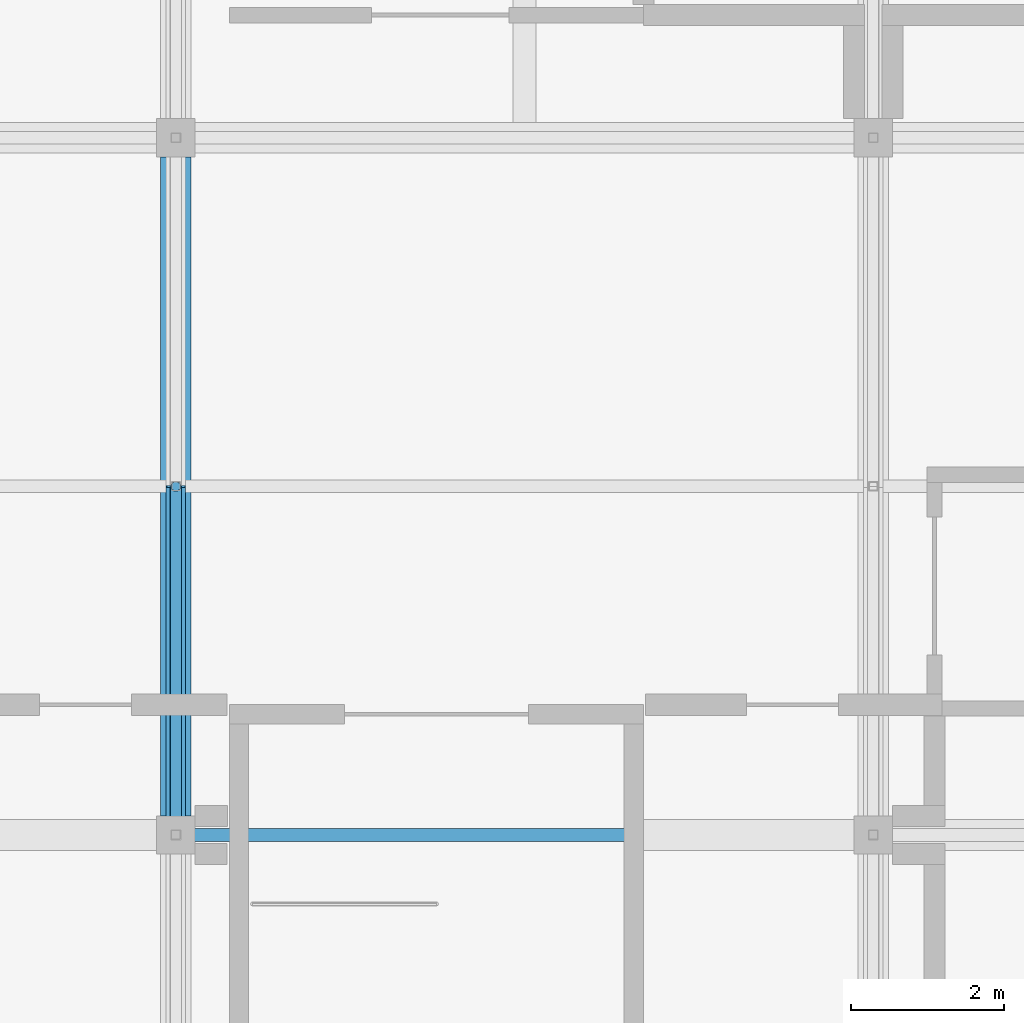
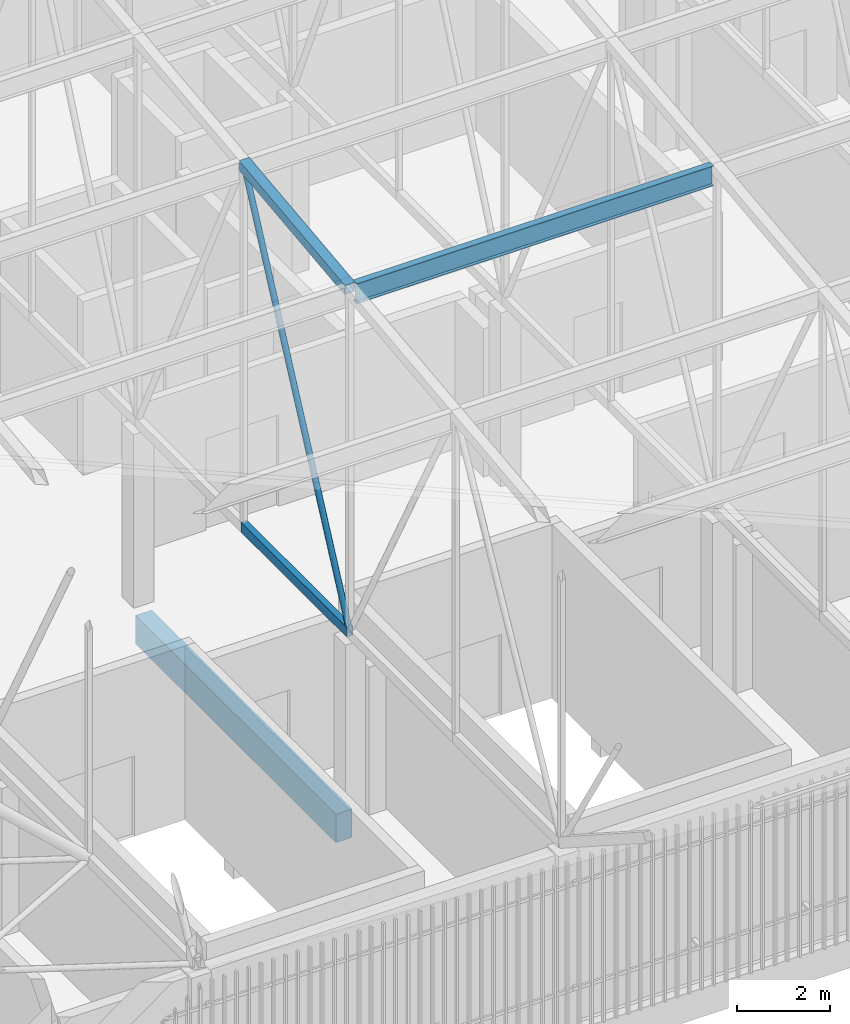
# One storey, part 20 of 500: 4 members, 1 beam.
"""IFC4 building model written with IfcOpenShell, lengths in metres."""

import ifcopenshell
import ifcopenshell.guid

model = None  # the IFC model being written
_history = None  # IfcOwnerHistory: only IFC2X3 demands one
_inside = {}  # id of a spatial element -> (the spatial element, [elements in it])
_under = {}  # id of a project, library or spatial element -> (it, [spatial elements below it])
_declared = {}  # id of a project -> (the project, [libraries it declares])
_typed = {}  # id of a type object -> (the type object, [elements of that type])
_made_of = {}  # id of a material, layer set ... -> (it, [elements and type objects made of it])


def new_model(schema):
    """Start an empty IFC model of exactly this schema.

    Asked for "IFC4X3", IfcOpenShell would pick the latest addendum, in which some entities
    have other attributes; the version numbers below select the first issue.
    IFC2X3 requires an IfcOwnerHistory on every rooted entity: one is made here for all.
    """
    global model, _history
    if schema == "IFC4X3":
        model = ifcopenshell.file(schema_version=(4, 3, 0, 0))
    else:
        model = ifcopenshell.file(schema=schema)
    _inside.clear()
    _under.clear()
    _declared.clear()
    _typed.clear()
    _made_of.clear()
    _history = None
    if model.schema == "IFC2X3":
        org = make("IfcOrganization", Name="unknown")
        user = make(
            "IfcPersonAndOrganization",
            ThePerson=make("IfcPerson", FamilyName="unknown"),
            TheOrganization=org,
        )
        app = make(
            "IfcApplication",
            ApplicationDeveloper=org,
            Version="unknown",
            ApplicationFullName="unknown",
            ApplicationIdentifier="unknown",
        )
        _history = make(
            "IfcOwnerHistory",
            OwningUser=user,
            OwningApplication=app,
            ChangeAction="ADDED",
            CreationDate=0,
        )
    return model


def make(cls, **values):
    """One entity of the class cls with the attributes given. An attribute that is None is left unset."""
    return model.create_entity(
        cls, **{name: value for name, value in values.items() if value is not None}
    )


def rooted(cls, **values):
    """An entity with a GlobalId (a new one), such as an element, a storey or a relation."""
    return make(cls, GlobalId=ifcopenshell.guid.new(), OwnerHistory=_history, **values)


def si_unit(unit_type, name, prefix=None):
    """IfcSIUnit, for example si_unit("LENGTHUNIT", "METRE", prefix="MILLI")."""
    return make("IfcSIUnit", UnitType=unit_type, Prefix=prefix, Name=name)


def assignment(units):
    """IfcUnitAssignment: the units of a project."""
    return None if units is None else make("IfcUnitAssignment", Units=units)


def point(xyz):
    """IfcCartesianPoint."""
    return None if xyz is None else make("IfcCartesianPoint", Coordinates=xyz)


def direction(xyz):
    """IfcDirection."""
    return None if xyz is None else make("IfcDirection", DirectionRatios=xyz)


def frame(location, z_axis=None, x_axis=None):
    """IfcAxis2Placement3D, a coordinate frame: its origin and axes. An axis left out is left unset."""
    return make(
        "IfcAxis2Placement3D",
        Location=point(location),
        Axis=direction(z_axis),
        RefDirection=direction(x_axis),
    )


def frame_2d(location, x_axis=None):
    """IfcAxis2Placement2D, a coordinate frame in the plane: its origin and x axis."""
    return make(
        "IfcAxis2Placement2D", Location=point(location), RefDirection=direction(x_axis)
    )


def origin():
    """The frame at (0, 0, 0) with its axes left unset."""
    return frame((0.0, 0.0, 0.0))


def origin_2d():
    """The frame at (0, 0) in the plane with its x axis left unset."""
    return frame_2d((0.0, 0.0))


def place(relative_to, where):
    """IfcLocalPlacement: puts the frame where relative to a parent placement (None: the world)."""
    return make(
        "IfcLocalPlacement", PlacementRelTo=relative_to, RelativePlacement=where
    )


def context(
    kind, dimensions, precision=None, world=None, true_north=None, identifier=None
):
    """IfcGeometricRepresentationContext, for example the 3D "Model" context."""
    return make(
        "IfcGeometricRepresentationContext",
        ContextIdentifier=identifier,
        ContextType=kind,
        CoordinateSpaceDimension=dimensions,
        Precision=precision,
        WorldCoordinateSystem=world,
        TrueNorth=true_north,
    )


def subcontext(parent, identifier, kind, view, scale=None):
    """IfcGeometricRepresentationSubContext, for example "Body" below "Model"."""
    return make(
        "IfcGeometricRepresentationSubContext",
        ContextIdentifier=identifier,
        ContextType=kind,
        ParentContext=parent,
        TargetScale=scale,
        TargetView=view,
    )


def project(units=None, contexts=None):
    """IfcProject with its units and contexts."""
    return rooted(
        "IfcProject",
        Name="project",
        RepresentationContexts=contexts,
        UnitsInContext=assignment(units),
    )


def spatial(cls, under=None, at=None, **own):
    """A site, building, storey or space (cls), placed at a placement, below another one or the project."""
    s = rooted(cls, ObjectPlacement=at, **own)
    if under is not None:
        _under.setdefault(under.id(), (under, []))[1].append(s)
    return s


def profile(cls, at=None, kind="AREA", **sizes):
    """A parametric profile (cls). Its sizes go by their IFC names, for example OverallWidth=200.0."""
    return make(cls, ProfileType=kind, Position=at, **sizes)


def rectangle(**sizes):
    """IfcRectangleProfileDef."""
    return profile("IfcRectangleProfileDef", **sizes)


def hollow_rectangle(**sizes):
    """IfcRectangleHollowProfileDef."""
    return profile("IfcRectangleHollowProfileDef", **sizes)


def hollow_circle(**sizes):
    """IfcCircleHollowProfileDef."""
    return profile("IfcCircleHollowProfileDef", **sizes)


def i_section(**sizes):
    """IfcIShapeProfileDef."""
    return profile("IfcIShapeProfileDef", **sizes)


def extrude(swept, where, along, depth):
    """IfcExtrudedAreaSolid: the profile swept, set in the frame where, extruded along a direction by depth."""
    return make(
        "IfcExtrudedAreaSolid",
        SweptArea=swept,
        Position=where,
        ExtrudedDirection=direction(along),
        Depth=depth,
    )


def shape(context_of_items, identifier, shape_type, items):
    """IfcShapeRepresentation: the items that make up one representation, for example the "Body"."""
    return make(
        "IfcShapeRepresentation",
        ContextOfItems=context_of_items,
        RepresentationIdentifier=identifier,
        RepresentationType=shape_type,
        Items=items,
    )


def material(Name=None, Category=None):
    """IfcMaterial."""
    return make("IfcMaterial", Name=Name, Category=Category)


def material_profile(
    of_material, cross_section, Name=None, Category=None, Priority=None
):
    """IfcMaterialProfile: a cross section and its material."""
    return make(
        "IfcMaterialProfile",
        Name=Name,
        Material=of_material,
        Profile=cross_section,
        Priority=Priority,
        Category=Category,
    )


def profile_set(profiles, Name=None, composite=None):
    """IfcMaterialProfileSet."""
    return make(
        "IfcMaterialProfileSet",
        Name=Name,
        MaterialProfiles=profiles,
        CompositeProfile=composite,
    )


def made_of(thing, what):
    """Note that an element or type object is made of a material, layer set ...; save() writes the relation."""
    if what is not None:
        _made_of.setdefault(what.id(), (what, []))[1].append(thing)
    return thing


def type_object(cls, material=None, **own):
    """A type object (cls), such as IfcWallType, which elements share."""
    return made_of(rooted(cls, **own), material)


def element(
    cls,
    number,
    at=None,
    inside=None,
    cuts=None,
    type_object=None,
    material=None,
    context=None,
    identifier="Body",
    shape_type=None,
    held_by="IfcProductDefinitionShape",
    body=None,
    shapes=None,
    **own,
):
    """One element of the class cls, such as IfcWall. Its Tag is "e" and its number.

    at: its placement. inside: the storey or other place that contains it. cuts: it is an
    opening in that element (IfcRelVoidsElement). A single representation is given by context,
    identifier, shape_type and body (its items); several are given by shapes. held_by: the class
    of the entity that holds the representations. save() writes the other relations.
    """
    e = rooted(cls, Tag="e%d" % number, ObjectPlacement=at, **own)
    if body is not None:
        shapes = [shape(context, identifier, shape_type, body)]
    if shapes is not None:
        e.Representation = make(held_by, Representations=shapes)
    if inside is not None:
        _inside.setdefault(inside.id(), (inside, []))[1].append(e)
    if cuts is not None:
        rooted(
            "IfcRelVoidsElement", RelatingBuildingElement=cuts, RelatedOpeningElement=e
        )
    if type_object is not None:
        _typed.setdefault(type_object.id(), (type_object, []))[1].append(e)
    return made_of(e, material)


def aggregate(whole, parts):
    """IfcRelAggregates: a whole, such as a stair, and the parts it consists of."""
    return rooted("IfcRelAggregates", RelatingObject=whole, RelatedObjects=parts)


def save(model, path):
    """Write the relations noted so far, then the file.

    IfcRelAggregates (storeys below a building ...), IfcRelContainedInSpatialStructure (elements
    in a storey), IfcRelDefinesByType, IfcRelAssociatesMaterial and IfcRelDeclares: one each for
    every whole, place, type object, material and project.
    """
    for whole, parts in _under.values():
        aggregate(whole, parts)
    for where, things in _inside.values():
        rooted(
            "IfcRelContainedInSpatialStructure",
            RelatedElements=things,
            RelatingStructure=where,
        )
    for kind, things in _typed.values():
        rooted("IfcRelDefinesByType", RelatedObjects=things, RelatingType=kind)
    for what, things in _made_of.values():
        rooted("IfcRelAssociatesMaterial", RelatedObjects=things, RelatingMaterial=what)
    for by, libraries in _declared.values():
        rooted("IfcRelDeclares", RelatingContext=by, RelatedDefinitions=libraries)
    model.write(path)


model = new_model("IFC4")

# Units and contexts
model_context = context("Model", 3, precision=1e-05, world=origin(), true_north=direction((0.0, 1.0)))
body_context = subcontext(model_context, "Body", "Model", "MODEL_VIEW")
ifc_project = project(units=[si_unit("LENGTHUNIT", "METRE"), si_unit("AREAUNIT", "SQUARE_METRE"), si_unit("VOLUMEUNIT", "CUBIC_METRE"), si_unit("PLANEANGLEUNIT", "RADIAN"), si_unit("MASSUNIT", "GRAM", prefix="KILO")], contexts=[model_context])

# Site, building, storey
site_placement = place(None, origin())
site = spatial("IfcSite", under=ifc_project, at=site_placement, CompositionType="ELEMENT")
building_placement = place(site_placement, origin())
building = spatial("IfcBuilding", under=site, at=building_placement, Name="Shirokan Park Arena", CompositionType="ELEMENT")
storey_placement = place(building_placement, frame((0.0, 0.0, 29.1201171875)))
storey = spatial("IfcBuildingStorey", under=building, at=storey_placement, Name="L06", CompositionType="ELEMENT", Elevation=29.1201171875)

# Members
ifc_material_1 = material(Name="Steel ASTM A500 Grade C", Category="steel")
ifc_material_profile_1 = material_profile(ifc_material_1, hollow_rectangle(XDim=0.152099609375, YDim=0.25390625, WallThickness=0.009521484375, at=origin_2d()), Name="HSS254X152.4X9.5")
ifc_profile_set_1 = profile_set([ifc_material_profile_1], Name="Steel ASTM A500 Grade C")
member_type_1 = type_object("IfcMemberType", Name="Bottom chord HSS254X152.4X9.5", PredefinedType="CHORD", material=ifc_profile_set_1)
member_1_placement = place(storey_placement, frame((18.199951171875, 9.10009765625, 4.677001953125), z_axis=(0.0, 1.0, 0.0), x_axis=(-1.0, 0.0, 0.0)))
element("IfcMember", 1, at=member_1_placement, inside=storey, type_object=member_type_1, Name="Truss T03 bottom chord 5", PredefinedType="CHORD", context=body_context, shape_type="SweptSolid", body=[
    extrude(hollow_rectangle(XDim=0.152099609375, YDim=0.25390625, WallThickness=0.009521484375, at=origin_2d()), origin(), (0.0, 0.0, 1.0), 4.5498046875),
])
ifc_material_2 = material(Name="Steel ASTM A992", Category="steel")
ifc_material_profile_2 = material_profile(ifc_material_2, i_section(OverallWidth=0.166015625, OverallDepth=0.528076171875, WebThickness=0.009765625, FlangeThickness=0.013671875, at=origin_2d()), Name="W530X74")
ifc_profile_set_2 = profile_set([ifc_material_profile_2], Name="Steel ASTM A992")
member_type_2 = type_object("IfcMemberType", Name="Purlin W530X74", PredefinedType="PURLIN", material=ifc_profile_set_2)
member_2_placement = place(storey_placement, frame((18.326904296875, 9.10009765625, 13.52587890625), z_axis=(1.0, 0.0, 0.0), x_axis=(0.0, 1.0, 0.0)))
element("IfcMember", 2, at=member_2_placement, inside=storey, type_object=member_type_2, Name="Purlin 5 bay 3", PredefinedType="PURLIN", context=body_context, shape_type="SweptSolid", body=[
    extrude(i_section(OverallWidth=0.166015625, OverallDepth=0.528076171875, WebThickness=0.009765625, FlangeThickness=0.013671875, at=origin_2d()), origin(), (0.0, 0.0, 1.0), 8.84619140625),
])

# Beam
ifc_material_3 = material(Name="Concrete C35", Category="concrete")
ifc_material_profile_3 = material_profile(ifc_material_3, rectangle(XDim=0.39990234375, YDim=0.75, at=origin_2d()), Name="400x750")
ifc_profile_set_3 = profile_set([ifc_material_profile_3], Name="Concrete C35")
beam_type = type_object("IfcBeamType", Name="RC girder 400x750", PredefinedType="BEAM", material=ifc_profile_set_3)
beam_placement = place(storey_placement, frame((18.199951171875, 9.35009765625, -0.5751953125), z_axis=(0.0, 1.0, 0.0), x_axis=(-1.0, 0.0, 0.0)))
element("IfcBeam", 3, at=beam_placement, inside=storey, type_object=beam_type, Name="Girder 3B-3C L06", PredefinedType="BEAM", context=body_context, shape_type="SweptSolid", body=[
    extrude(rectangle(XDim=0.39990234375, YDim=0.75, at=origin_2d()), origin(), (0.0, 0.0, 1.0), 8.599853515625),
])

# Members
ifc_material_profile_4 = material_profile(ifc_material_1, hollow_rectangle(XDim=0.25390625, YDim=0.25390625, WallThickness=0.009521484375, at=origin_2d()), Name="HSS254X254X9.5")
ifc_profile_set_4 = profile_set([ifc_material_profile_4], Name="Steel ASTM A500 Grade C")
member_type_3 = type_object("IfcMemberType", Name="Top chord HSS254X254X9.5", PredefinedType="CHORD", material=ifc_profile_set_4)
member_3_placement = place(storey_placement, frame((18.199951171875, 9.10009765625, 13.662841796875), z_axis=(0.0, 0.993531641592, 0.11355561261), x_axis=(-1.0, 0.0, 0.0)))
element("IfcMember", 4, at=member_3_placement, inside=storey, type_object=member_type_3, Name="Truss T03 top chord 5", PredefinedType="CHORD", context=body_context, shape_type="SweptSolid", body=[
    extrude(hollow_rectangle(XDim=0.25390625, YDim=0.25390625, WallThickness=0.009521484375, at=origin_2d()), origin(), (0.0, 0.0, 1.0), 4.579345703125),
])
ifc_material_profile_5 = material_profile(ifc_material_1, hollow_circle(Radius=0.070556640625, WallThickness=0.006591796875, at=origin_2d()), Name="HSS141.3X6.6")
ifc_profile_set_5 = profile_set([ifc_material_profile_5], Name="Steel ASTM A500 Grade C")
member_type_4 = type_object("IfcMemberType", Name="Truss diagonal HSS141.3X6.6", PredefinedType="BRACE", material=ifc_profile_set_5)
member_4_placement = place(storey_placement, frame((18.199951171875, 9.10009765625, 4.677001953125), z_axis=(0.0, 0.431727628527, 0.90200402148), x_axis=(-1.0, 0.0, 0.0)))
element("IfcMember", 5, at=member_4_placement, inside=storey, type_object=member_type_4, Name="Truss T03 diagonal 5", PredefinedType="BRACE", context=body_context, shape_type="SweptSolid", body=[
    extrude(hollow_circle(Radius=0.070556640625, WallThickness=0.006591796875, at=origin_2d()), origin(), (0.0, 0.0, 1.0), 10.53857421875),
])

save(model, "model.ifc")
